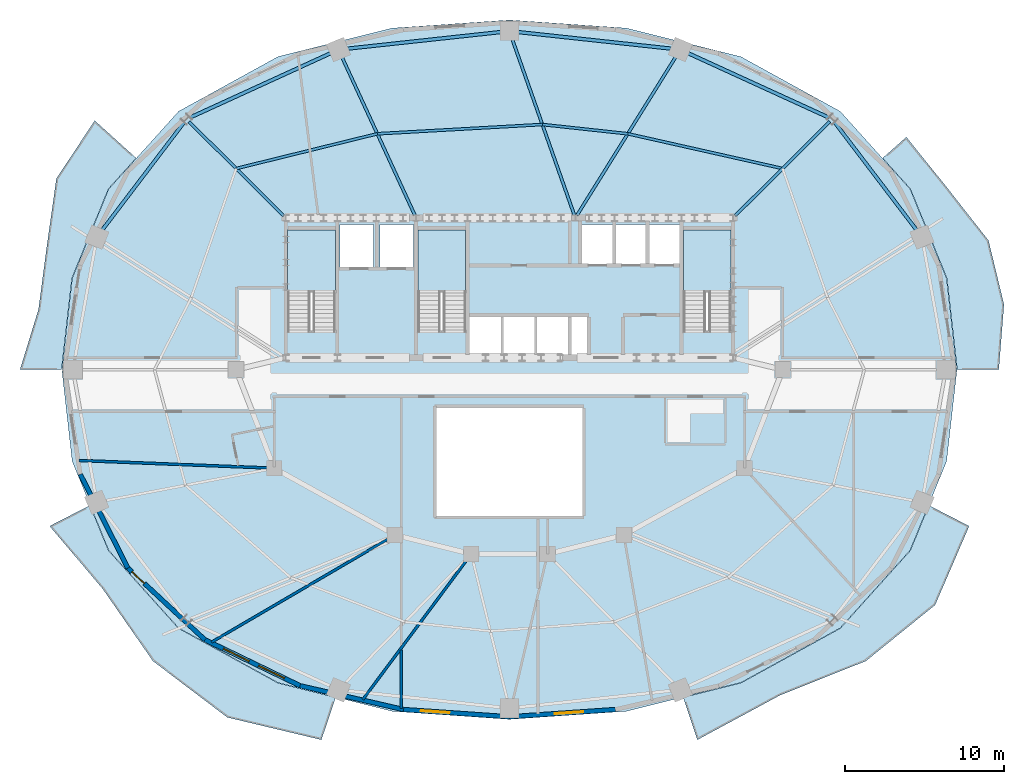
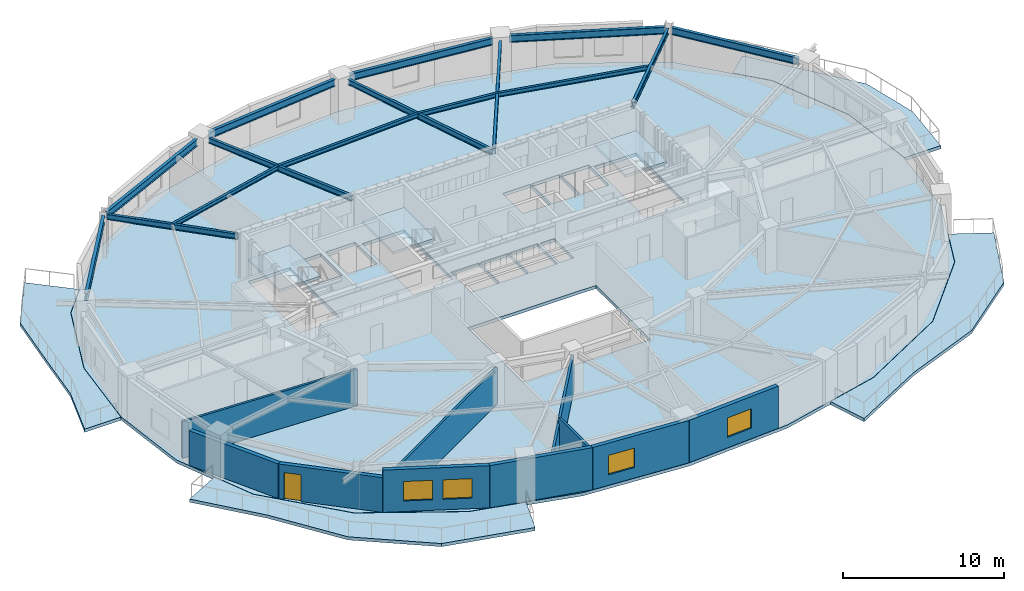
# One storey, part 3 of 11: 15 beams, 10 walls, 8 slabs, 4 windows, 1 door, 5 openings, 3 elements without a shape of their own.
"""IFC4 building model written with IfcOpenShell, lengths in metres."""

from ifc_helpers import new_model, si_unit, direction, frame, frame_2d, origin, origin_2d, place, context, subcontext, project, spatial, polyline, rectangle, i_section, outline, extrude, material, layer, layer_set, material_profile, profile_set, type_object, element, fill, aggregate, save


model = new_model("IFC4")

# Units and contexts
model_context = context("Model", 3, precision=1e-05, world=origin(), true_north=direction((0.0, 1.0)))
body_context = subcontext(model_context, "Body", "Model", "MODEL_VIEW")
ifc_project = project(units=[si_unit("LENGTHUNIT", "METRE"), si_unit("AREAUNIT", "SQUARE_METRE"), si_unit("VOLUMEUNIT", "CUBIC_METRE"), si_unit("PLANEANGLEUNIT", "RADIAN"), si_unit("MASSUNIT", "GRAM", prefix="KILO")], contexts=[model_context])

# Site, building, storey
site_placement = place(None, origin())
site = spatial("IfcSite", under=ifc_project, at=site_placement, CompositionType="ELEMENT")
building_placement = place(site_placement, origin())
building = spatial("IfcBuilding", under=site, at=building_placement, Name="Haldorwick Loom Tower", CompositionType="ELEMENT")
storey_placement = place(building_placement, frame((0.0, 0.0, 204.85009765625)))
storey = spatial("IfcBuildingStorey", under=building, at=storey_placement, Name="L55", CompositionType="ELEMENT", Elevation=204.85009765625)

# Beams
ifc_material_1 = material(Name="Steel CSA G40.21 350W", Category="steel")
ifc_material_profile_1 = material_profile(ifc_material_1, i_section(OverallWidth=0.166015625, OverallDepth=0.31298828125, WebThickness=0.006591796875, FlangeThickness=0.01123046875, at=origin_2d()), Name="W310X45", Category="steel")
ifc_profile_set_1 = profile_set([ifc_material_profile_1], Name="Steel CSA G40.21 350W")
beam_type_1 = type_object("IfcBeamType", Name="STR-BM-J310", PredefinedType="JOIST", material=ifc_profile_set_1)
beam_1_placement = place(storey_placement, frame((53.19384765625, 38.657470703125, 3.053466796875), z_axis=(-0.975700785876, 0.219107225898, 0.0), x_axis=(-0.219107225898, -0.975700785876, 0.0)))
element("IfcBeam", 1, at=beam_1_placement, inside=storey, type_object=beam_type_1, Name="L55 Mid-Bay Secondary Joist 3", PredefinedType="JOIST", context=body_context, shape_type="SweptSolid", body=[
    extrude(i_section(OverallWidth=0.166015625, OverallDepth=0.31298828125, WebThickness=0.006591796875, FlangeThickness=0.01123046875, at=origin_2d()), origin(), (0.0, 0.0, 1.0), 9.98486328125),
])
beam_2_placement = place(storey_placement, frame((43.45166015625, 40.84521484375, 3.053466796875), z_axis=(-0.994187082722, 0.107666357549, 0.0), x_axis=(-0.107666357549, -0.994187082722, 0.0)))
element("IfcBeam", 2, at=beam_2_placement, inside=storey, type_object=beam_type_1, Name="L55 Mid-Bay Secondary Joist 4", PredefinedType="JOIST", context=body_context, shape_type="SweptSolid", body=[
    extrude(i_section(OverallWidth=0.166015625, OverallDepth=0.31298828125, WebThickness=0.006591796875, FlangeThickness=0.01123046875, at=origin_2d()), origin(), (0.0, 0.0, 1.0), 5.408203125),
])
beam_3_placement = place(storey_placement, frame((38.074951171875, 41.427490234375, 3.053466796875), z_axis=(-0.998432354117, -0.05597172726, 0.0), x_axis=(0.05597172726, -0.998432354117, 0.0)))
element("IfcBeam", 3, at=beam_3_placement, inside=storey, type_object=beam_type_1, Name="L55 Mid-Bay Secondary Joist 5", PredefinedType="JOIST", context=body_context, shape_type="SweptSolid", body=[
    extrude(i_section(OverallWidth=0.166015625, OverallDepth=0.31298828125, WebThickness=0.006591796875, FlangeThickness=0.01123046875, at=origin_2d()), origin(), (0.0, 0.0, 1.0), 10.403076171875),
])
beam_4_placement = place(storey_placement, frame((27.688232421875, 40.84521484375, 3.053466796875), z_axis=(-0.970979703726, -0.239161901132, 0.0), x_axis=(0.239161901132, -0.970979703726, 0.0)))
element("IfcBeam", 4, at=beam_4_placement, inside=storey, type_object=beam_type_1, Name="L55 Mid-Bay Secondary Joist 6", PredefinedType="JOIST", context=body_context, shape_type="SweptSolid", body=[
    extrude(i_section(OverallWidth=0.166015625, OverallDepth=0.31298828125, WebThickness=0.006591796875, FlangeThickness=0.01123046875, at=origin_2d()), origin(), (0.0, 0.0, 1.0), 9.1474609375),
])
ifc_material_profile_2 = material_profile(ifc_material_1, i_section(OverallWidth=0.179931640625, OverallDepth=0.4130859375, WebThickness=0.009765625, FlangeThickness=0.01611328125, at=origin_2d()), Name="W410X74", Category="steel")
ifc_profile_set_2 = profile_set([ifc_material_profile_2], Name="Steel CSA G40.21 350W")
beam_type_2 = type_object("IfcBeamType", Name="STR-BM-J410", PredefinedType="JOIST", material=ifc_profile_set_2)
beam_5_placement = place(storey_placement, frame((50.1962890625, 35.675537109375, 3.00341796875), z_axis=(0.708962390492, 0.70524628951, 0.0), x_axis=(-0.70524628951, 0.708962390492, 0.0)))
element("IfcBeam", 5, at=beam_5_placement, inside=storey, type_object=beam_type_2, Name="L55 Radial Floor Girder 3", PredefinedType="JOIST", context=body_context, shape_type="SweptSolid", body=[
    extrude(i_section(OverallWidth=0.179931640625, OverallDepth=0.4130859375, WebThickness=0.009765625, FlangeThickness=0.01611328125, at=origin_2d()), origin(), (0.0, 0.0, 1.0), 8.409423828125),
])
beam_6_placement = place(storey_placement, frame((40.244140625, 35.700927734375, 3.00341796875), z_axis=(0.529095323143, 0.848562395483, 0.0), x_axis=(-0.848562395483, 0.529095323143, 0.0)))
element("IfcBeam", 6, at=beam_6_placement, inside=storey, type_object=beam_type_2, Name="L55 Radial Floor Girder 4", PredefinedType="JOIST", context=body_context, shape_type="SweptSolid", body=[
    extrude(i_section(OverallWidth=0.179931640625, OverallDepth=0.4130859375, WebThickness=0.009765625, FlangeThickness=0.01611328125, at=origin_2d()), origin(), (0.0, 0.0, 1.0), 11.78271484375),
])
beam_7_placement = place(storey_placement, frame((40.0908203125, 35.7177734375, 3.00341796875), z_axis=(-0.332908014691, 0.942959306521, 0.0), x_axis=(-0.942959306521, -0.332908014691, 0.0)))
element("IfcBeam", 7, at=beam_7_placement, inside=storey, type_object=beam_type_2, Name="L55 Radial Floor Girder 5", PredefinedType="JOIST", context=body_context, shape_type="SweptSolid", body=[
    extrude(i_section(OverallWidth=0.179931640625, OverallDepth=0.4130859375, WebThickness=0.009765625, FlangeThickness=0.01611328125, at=origin_2d()), origin(), (0.0, 0.0, 1.0), 11.768310546875),
])
beam_8_placement = place(storey_placement, frame((30.055419921875, 35.711669921875, 3.00341796875), z_axis=(-0.418729142855, 0.908111174319, 0.0), x_axis=(-0.908111174319, -0.418729142855, 0.0)))
element("IfcBeam", 8, at=beam_8_placement, inside=storey, type_object=beam_type_2, Name="L55 Radial Floor Girder 6", PredefinedType="JOIST", context=body_context, shape_type="SweptSolid", body=[
    extrude(i_section(OverallWidth=0.179931640625, OverallDepth=0.4130859375, WebThickness=0.009765625, FlangeThickness=0.01611328125, at=origin_2d()), origin(), (0.0, 0.0, 1.0), 10.96435546875),
])
beam_9_placement = place(storey_placement, frame((21.8037109375, 35.675537109375, 3.00341796875), z_axis=(-0.708962390492, 0.70524628951, 0.0), x_axis=(-0.70524628951, -0.708962390492, 0.0)))
element("IfcBeam", 9, at=beam_9_placement, inside=storey, type_object=beam_type_2, Name="L55 Radial Floor Girder 7", PredefinedType="JOIST", context=body_context, shape_type="SweptSolid", body=[
    extrude(i_section(OverallWidth=0.179931640625, OverallDepth=0.4130859375, WebThickness=0.009765625, FlangeThickness=0.01611328125, at=origin_2d()), origin(), (0.0, 0.0, 1.0), 8.409423828125),
])
ifc_material_profile_3 = material_profile(ifc_material_1, i_section(OverallWidth=0.2119140625, OverallDepth=0.5439453125, WebThickness=0.01318359375, FlangeThickness=0.021240234375, at=origin_2d()), Name="W530X123", Category="steel")
ifc_profile_set_3 = profile_set([ifc_material_profile_3], Name="Steel CSA G40.21 350W")
beam_type_3 = type_object("IfcBeamType", Name="STR-BM-SP530", PredefinedType="SPANDREL", material=ifc_profile_set_3)
beam_10_placement = place(storey_placement, frame((61.646240234375, 34.75634765625, 2.93798828125), z_axis=(-0.605236944797, 0.796045376001, 0.0), x_axis=(-0.796045376001, -0.605236944797, 0.0)))
element("IfcBeam", 10, at=beam_10_placement, inside=storey, type_object=beam_type_3, Name="L55 Perimeter Spandrel 2", PredefinedType="SPANDREL", context=body_context, shape_type="SweptSolid", body=[
    extrude(i_section(OverallWidth=0.2119140625, OverallDepth=0.5439453125, WebThickness=0.01318359375, FlangeThickness=0.021240234375, at=origin_2d()), origin(), (0.0, 0.0, 1.0), 8.5791015625),
])
beam_11_placement = place(storey_placement, frame((56.113037109375, 41.8583984375, 2.93798828125), z_axis=(-0.909342182232, 0.416049030299, 0.0), x_axis=(-0.416049030299, -0.909342182232, 0.0)))
element("IfcBeam", 11, at=beam_11_placement, inside=storey, type_object=beam_type_3, Name="L55 Perimeter Spandrel 3", PredefinedType="SPANDREL", context=body_context, shape_type="SweptSolid", body=[
    extrude(i_section(OverallWidth=0.2119140625, OverallDepth=0.5439453125, WebThickness=0.01318359375, FlangeThickness=0.021240234375, at=origin_2d()), origin(), (0.0, 0.0, 1.0), 9.772705078125),
])
for number, where, z_axis, x_axis, name in (
    (12, (46.236328125, 46.196533203125, 2.93798828125), (-0.994187774205, 0.107659972233, 0.0), (-0.107659972233, -0.994187774205, 0.0), "L55 Perimeter Spandrel 4"),
    (13, (35.48291015625, 47.2490234375, 2.93798828125), (-0.994187774205, -0.107659972233, 0.0), (0.107659972233, -0.994187774205, 0.0), "L55 Perimeter Spandrel 5"),
):
    element("IfcBeam", number, at=place(storey_placement, frame(where, z_axis=z_axis, x_axis=x_axis)), inside=storey, type_object=beam_type_3, Name=name, PredefinedType="SPANDREL", context=body_context, shape_type="SweptSolid", body=[
        extrude(i_section(OverallWidth=0.2119140625, OverallDepth=0.5439453125, WebThickness=0.01318359375, FlangeThickness=0.021240234375, at=origin_2d()), origin(), (0.0, 0.0, 1.0), 9.776123046875),
    ])
beam_12_placement = place(storey_placement, frame((24.773681640625, 45.92431640625, 2.93798828125), z_axis=(-0.909342182232, -0.416049030299, 0.0), x_axis=(0.416049030299, -0.909342182232, 0.0)))
element("IfcBeam", 14, at=beam_12_placement, inside=storey, type_object=beam_type_3, Name="L55 Perimeter Spandrel 6", PredefinedType="SPANDREL", context=body_context, shape_type="SweptSolid", body=[
    extrude(i_section(OverallWidth=0.2119140625, OverallDepth=0.5439453125, WebThickness=0.01318359375, FlangeThickness=0.021240234375, at=origin_2d()), origin(), (0.0, 0.0, 1.0), 9.772705078125),
])
beam_13_placement = place(storey_placement, frame((15.546142578125, 41.585693359375, 2.93798828125), z_axis=(-0.605236944797, -0.796045376001, 0.0), x_axis=(0.796045376001, -0.605236944797, 0.0)))
element("IfcBeam", 15, at=beam_13_placement, inside=storey, type_object=beam_type_3, Name="L55 Perimeter Spandrel 7", PredefinedType="SPANDREL", context=body_context, shape_type="SweptSolid", body=[
    extrude(i_section(OverallWidth=0.2119140625, OverallDepth=0.5439453125, WebThickness=0.01318359375, FlangeThickness=0.021240234375, at=origin_2d()), origin(), (0.0, 0.0, 1.0), 8.5791015625),
])

# Slabs
ifc_material_2 = material(Name="Concrete C40 (40 MPa)", Category="concrete")
ifc_layer_1 = layer(ifc_material_2, 0.239990234375, Name="Concrete C40 (40 MPa)", Category="concrete")
ifc_layer_set_1 = layer_set([ifc_layer_1], Name="Concrete C40 (40 MPa)")
slab_type_1 = type_object("IfcSlabType", Name="STR-SLB-BAL240", PredefinedType="FLOOR", material=ifc_layer_set_1)
slab_1_placement = place(storey_placement, frame((0.0, 0.0, -0.239990234375)))
element("IfcSlab", 16, at=slab_1_placement, inside=storey, type_object=slab_type_1, Name="L55 Sinusoidal Balcony Terrace BAL_SE", PredefinedType="FLOOR", context=body_context, shape_type="SweptSolid", body=[
    extrude(outline(polyline([(62.39208984375, 17.4619140625), (61.229736328125, 14.62060546875), (61.229248046875, 14.619384765625), (61.228515625, 14.6181640625), (61.227783203125, 14.6171875), (61.22705078125, 14.6162109375), (56.82373046875, 9.72998046875), (56.82275390625, 9.72900390625), (56.8212890625, 9.727783203125), (56.81982421875, 9.72705078125), (50.565673828125, 6.287109375), (50.564453125, 6.286376953125), (50.563232421875, 6.285888671875), (50.56201171875, 6.285400390625), (46.934814453125, 5.3798828125), (47.8310546875, 2.71044921875), (53.02685546875, 5.51171875), (58.431884765625, 7.66748046875), (62.788818359375, 11.19287109375), (64.931396484375, 16.15771484375), (62.39208984375, 17.4619140625)])), origin(), (0.0, 0.0, 1.0), 0.239990234375),
])
slab_2_placement = place(storey_placement, frame((0.0, 0.0, -0.239990234375)))
element("IfcSlab", 17, at=slab_2_placement, inside=storey, type_object=slab_type_1, Name="L55 Sinusoidal Balcony Terrace BAL_SW", PredefinedType="FLOOR", context=body_context, shape_type="SweptSolid", body=[
    extrude(outline(polyline([(25.065185546875, 5.3798828125), (21.43798828125, 6.285400390625), (21.436767578125, 6.285888671875), (21.435546875, 6.286376953125), (21.434326171875, 6.287109375), (15.18017578125, 9.72705078125), (15.1787109375, 9.727783203125), (15.17724609375, 9.72900390625), (15.17626953125, 9.72998046875), (10.77294921875, 14.6162109375), (10.772216796875, 14.6171875), (10.771484375, 14.6181640625), (10.770751953125, 14.619384765625), (10.770263671875, 14.62060546875), (9.60791015625, 17.4619140625), (7.068603515625, 16.15771484375), (10.404296875, 12.21337890625), (13.568115234375, 7.66748046875), (18.24658203125, 4.119873046875), (24.1689453125, 2.71044921875), (25.065185546875, 5.3798828125)])), origin(), (0.0, 0.0, 1.0), 0.239990234375),
])
slab_3_placement = place(storey_placement, frame((0.0, 0.0, -0.239990234375)))
element("IfcSlab", 18, at=slab_3_placement, inside=storey, type_object=slab_type_1, Name="L55 Sinusoidal Balcony Terrace BAL_WNW", PredefinedType="FLOOR", context=body_context, shape_type="SweptSolid", body=[
    extrude(outline(polyline([(7.818603515625, 26.0), (7.818603515625, 26.001708984375), (8.472412109375, 31.760986328125), (8.47265625, 31.762451171875), (8.472900390625, 31.763916015625), (8.473388671875, 31.76513671875), (10.770263671875, 37.37939453125), (10.770751953125, 37.380615234375), (10.771484375, 37.3818359375), (10.772216796875, 37.3828125), (10.77294921875, 37.3837890625), (12.51318359375, 39.315185546875), (9.90576171875, 41.673828125), (7.493896484375, 38.02587890625), (6.883056640625, 33.701171875), (6.368896484375, 29.80029296875), (5.20361328125, 26.0), (7.818603515625, 26.0)])), origin(), (0.0, 0.0, 1.0), 0.239990234375),
])
slab_4_placement = place(storey_placement, frame((0.0, 0.0, -0.239990234375)))
element("IfcSlab", 19, at=slab_4_placement, inside=storey, type_object=slab_type_1, Name="L55 Sinusoidal Balcony Terrace BAL_ENE", PredefinedType="FLOOR", context=body_context, shape_type="SweptSolid", body=[
    extrude(outline(polyline([(59.48779296875, 39.31396484375), (61.22705078125, 37.3837890625), (61.227783203125, 37.3828125), (61.228515625, 37.3818359375), (61.229248046875, 37.380615234375), (61.229736328125, 37.37939453125), (63.526611328125, 31.76513671875), (63.527099609375, 31.763916015625), (63.52734375, 31.762451171875), (63.527587890625, 31.760986328125), (64.181396484375, 26.001708984375), (64.181396484375, 26.0), (66.79638671875, 26.0), (67.124267578125, 30.102783203125), (66.148193359375, 34.1298828125), (63.570556640625, 37.416015625), (60.978759765625, 40.63623046875), (59.48779296875, 39.31396484375)])), origin(), (0.0, 0.0, 1.0), 0.239990234375),
])

# Stair, slab
stair_type = type_object("IfcStairType", Name="STR-STR-CORE", PredefinedType="HALF_TURN_STAIR", material=ifc_material_2)
stair_1_placement = place(storey_placement, origin())
stair_1 = element("IfcStair", 20, at=stair_1_placement, inside=storey, type_object=stair_type, Name="L55 Exit Stair ST-01", PredefinedType="HALF_TURN_STAIR")
ifc_layer_2 = layer(ifc_material_2, 0.199951171875, Name="Concrete C40 (40 MPa)", Category="concrete")
ifc_layer_set_2 = layer_set([ifc_layer_2], Name="Concrete C40 (40 MPa)")
slab_type_2 = type_object("IfcSlabType", Name="STR-SLB-LAND200", PredefinedType="LANDING", material=ifc_layer_set_2)
slab_5_placement = place(storey_placement, frame((0.0, 0.0, 1.52490234375)))
slab_5 = element("IfcSlab", 21, at=slab_5_placement, type_object=slab_type_2, Name="ST-01 landing 1", PredefinedType="LANDING", context=body_context, shape_type="SweptSolid", body=[
    extrude(outline(polyline([(25.050048828125, 30.919921875), (25.050048828125, 34.800048828125), (22.050048828125, 34.800048828125), (22.050048828125, 30.919921875), (25.050048828125, 30.919921875)])), origin(), (0.0, 0.0, 1.0), 0.199951171875),
])
aggregate(stair_1, [slab_5])

stair_2_placement = place(storey_placement, origin())
stair_2 = element("IfcStair", 22, at=stair_2_placement, inside=storey, type_object=stair_type, Name="L55 Exit Stair ST-02", PredefinedType="HALF_TURN_STAIR")
slab_6_placement = place(storey_placement, frame((0.0, 0.0, 1.52490234375)))
slab_6 = element("IfcSlab", 23, at=slab_6_placement, type_object=slab_type_2, Name="ST-02 landing 1", PredefinedType="LANDING", context=body_context, shape_type="SweptSolid", body=[
    extrude(outline(polyline([(49.949951171875, 30.919921875), (49.949951171875, 34.800048828125), (46.949951171875, 34.800048828125), (46.949951171875, 30.919921875), (49.949951171875, 30.919921875)])), origin(), (0.0, 0.0, 1.0), 0.199951171875),
])
aggregate(stair_2, [slab_6])

stair_3_placement = place(storey_placement, origin())
stair_3 = element("IfcStair", 24, at=stair_3_placement, inside=storey, type_object=stair_type, Name="L55 Exit Stair ST-03", PredefinedType="HALF_TURN_STAIR")
slab_7_placement = place(storey_placement, frame((0.0, 0.0, 1.52490234375)))
slab_7 = element("IfcSlab", 25, at=slab_7_placement, type_object=slab_type_2, Name="ST-03 landing 1", PredefinedType="LANDING", context=body_context, shape_type="SweptSolid", body=[
    extrude(outline(polyline([(33.25, 30.919921875), (33.25, 34.800048828125), (30.25, 34.800048828125), (30.25, 30.919921875), (33.25, 30.919921875)])), origin(), (0.0, 0.0, 1.0), 0.199951171875),
])
aggregate(stair_3, [slab_7])

# Slab
ifc_layer_3 = layer(ifc_material_2, 0.239990234375, Name="Concrete C40 (40 MPa)", Category="concrete")
ifc_layer_set_3 = layer_set([ifc_layer_3], Name="Concrete C40 (40 MPa)")
slab_type_3 = type_object("IfcSlabType", Name="STR-SLB-RES240", PredefinedType="FLOOR", material=ifc_layer_set_3)
slab_8_placement = place(storey_placement, frame((0.0, 0.0, -0.239990234375)))
element("IfcSlab", 26, at=slab_8_placement, inside=storey, type_object=slab_type_3, Name="L55 Residential Structural Floor Slab", PredefinedType="FLOOR", context=body_context, shape_type="SweptSolid", body=[
    extrude(outline(polyline([(56.812744140625, 9.739990234375), (61.2158203125, 14.626220703125), (63.5126953125, 20.240478515625), (64.16650390625, 26.0), (63.5126953125, 31.759521484375), (61.2158203125, 37.373779296875), (56.812744140625, 42.260009765625), (50.558349609375, 45.699951171875), (43.3720703125, 47.494384765625), (36.0, 48.0048828125), (28.6279296875, 47.494384765625), (21.441650390625, 45.699951171875), (15.187255859375, 42.260009765625), (10.7841796875, 37.373779296875), (8.4873046875, 31.759521484375), (7.83349609375, 26.0), (8.4873046875, 20.240478515625), (10.7841796875, 14.626220703125), (15.187255859375, 9.739990234375), (21.441650390625, 6.300048828125), (28.6279296875, 4.505615234375), (36.0, 3.9951171875), (43.3720703125, 4.505615234375), (50.558349609375, 6.300048828125), (56.812744140625, 9.739990234375)]), holes=[polyline([(31.39990234375, 16.800048828125), (31.39990234375, 23.60009765625), (40.60009765625, 23.60009765625), (40.60009765625, 16.800048828125), (31.39990234375, 16.800048828125)]), polyline([(33.5, 26.85009765625), (33.5, 29.35009765625), (35.5, 29.35009765625), (35.5, 26.85009765625), (33.5, 26.85009765625)]), polyline([(35.60009765625, 26.85009765625), (35.60009765625, 29.35009765625), (37.60009765625, 29.35009765625), (37.60009765625, 26.85009765625), (35.60009765625, 26.85009765625)]), polyline([(23.6201171875, 28.39990234375), (22.050048828125, 28.39990234375), (22.050048828125, 34.800048828125), (25.050048828125, 34.800048828125), (25.050048828125, 28.639892578125), (23.6201171875, 28.639892578125), (23.6201171875, 28.39990234375)]), polyline([(30.25, 28.39990234375), (30.25, 34.800048828125), (33.25, 34.800048828125), (33.25, 28.639892578125), (31.820068359375, 28.639892578125), (31.820068359375, 28.39990234375), (30.25, 28.39990234375)]), polyline([(25.35009765625, 32.449951171875), (25.35009765625, 35.14990234375), (27.449951171875, 35.14990234375), (27.449951171875, 32.449951171875), (25.35009765625, 32.449951171875)]), polyline([(29.949951171875, 32.449951171875), (27.85009765625, 32.449951171875), (27.85009765625, 35.14990234375), (29.949951171875, 35.14990234375), (29.949951171875, 32.449951171875)]), polyline([(37.699951171875, 26.85009765625), (37.699951171875, 29.35009765625), (39.699951171875, 29.35009765625), (39.699951171875, 26.85009765625), (37.699951171875, 26.85009765625)]), polyline([(39.89990234375, 26.89990234375), (39.89990234375, 29.300048828125), (40.89990234375, 29.300048828125), (40.89990234375, 26.89990234375), (39.89990234375, 26.89990234375)]), polyline([(46.949951171875, 28.39990234375), (46.949951171875, 34.800048828125), (49.949951171875, 34.800048828125), (49.949951171875, 28.639892578125), (48.52001953125, 28.639892578125), (48.52001953125, 28.39990234375), (46.949951171875, 28.39990234375)]), polyline([(40.550048828125, 32.64990234375), (40.550048828125, 35.14990234375), (42.550048828125, 35.14990234375), (42.550048828125, 32.64990234375), (40.550048828125, 32.64990234375)]), polyline([(42.64990234375, 32.64990234375), (42.64990234375, 35.14990234375), (44.64990234375, 35.14990234375), (44.64990234375, 32.64990234375), (42.64990234375, 32.64990234375)]), polyline([(44.75, 32.64990234375), (44.75, 35.14990234375), (46.75, 35.14990234375), (46.75, 32.64990234375), (44.75, 32.64990234375)])]), origin(), (0.0, 0.0, 1.0), 0.239990234375),
])

# Wall
ifc_material_3 = material(Name="Pressed Clay Face Brick and Insulated Masonry Backup Assembly", Category="masonry")
ifc_layer_4 = layer(ifc_material_3, 0.280029296875, Name="Pressed Clay Face Brick and Insulated Masonry Backup Assembly", Category="masonry")
ifc_layer_set_4 = layer_set([ifc_layer_4], Name="Pressed Clay Face Brick and Insulated Masonry Backup Assembly")
wall_type_1 = type_object("IfcWallType", Name="ARC-WL-EXT280", PredefinedType="STANDARD", material=ifc_layer_set_4)
wall_1_placement = place(storey_placement, frame((8.995849609375, 19.415283203125, 0.0), z_axis=(0.0, 0.0, 1.0), x_axis=(0.453032066879, -0.89149422117, 0.0)))
element("IfcWall", 27, at=wall_1_placement, inside=storey, type_object=wall_type_1, Name="L55 Brick Pier and Spandrel Wall 14", PredefinedType="STANDARD", context=body_context, shape_type="SweptSolid", body=[
    extrude(rectangle(XDim=6.618896484375, YDim=0.280029296875, at=frame_2d((3.3095703125, 0.0))), origin(), (0.0, 0.0, 1.0), 2.640869140625),
])

# Wall, opening, door
wall_2_placement = place(storey_placement, frame((11.994384765625, 13.5146484375, 0.0), z_axis=(0.0, 0.0, 1.0), x_axis=(0.731833707499, -0.681483253329, 0.0)))
wall_2 = element("IfcWall", 28, at=wall_2_placement, inside=storey, type_object=wall_type_1, Name="L55 Brick Pier and Spandrel Wall 15", PredefinedType="STANDARD", context=body_context, shape_type="SweptSolid", body=[
    extrude(rectangle(XDim=6.61865234375, YDim=0.280029296875, at=frame_2d((3.309326171875, 0.0))), origin(), (0.0, 0.0, 1.0), 2.640869140625),
])
opening_1_placement = place(wall_2_placement, frame((0.340087890625, 0.0, 0.0)))
opening_1 = element("IfcOpeningElement", 29, at=opening_1_placement, cuts=wall_2, Name="Opening D-BL11", PredefinedType="OPENING", context=body_context, shape_type="SweptSolid", body=[
    extrude(rectangle(XDim=1.080078125, YDim=2.0400390625, at=frame_2d((0.5400390625, 1.02001953125))), frame((0.0, 0.14990234375, 0.0), z_axis=(0.0, -1.0, 0.0), x_axis=(1.0, 0.0, 0.0)), (0.0, 0.0, 1.0), 0.300048828125),
])
ifc_material_4 = material(Name="Thermally Broken Anodized Aluminium Curtain Wall Framing", Category="aluminium")
door_type = type_object("IfcDoorType", Name="ARC-DR-BAL110", OperationType="NOTDEFINED", PredefinedType="DOOR", material=ifc_material_4)
door_placement = place(opening_1_placement, origin())
door = element("IfcDoor", 30, at=door_placement, inside=storey, type_object=door_type, Name="L55 Outdoor Terrace Door SLB-L55-BAL_SW", OperationType="SINGLE_SWING_LEFT", OverallHeight=2.0400390625, OverallWidth=1.080078125, PredefinedType="DOOR", context=body_context, shape_type="SweptSolid", body=[
    extrude(rectangle(XDim=1.080078125, YDim=2.0400390625, at=frame_2d((0.5400390625, 1.02001953125))), frame((0.0, 0.02490234375, 0.0), z_axis=(0.0, -1.0, 0.0), x_axis=(1.0, 0.0, 0.0)), (0.0, 0.0, 1.0), 0.050048828125),
])
fill(opening_1, door)

# Wall, openings, windows
wall_3_placement = place(storey_placement, frame((16.838134765625, 9.004150390625, 0.0), z_axis=(0.0, 0.0, 1.0), x_axis=(0.900371236029, -0.435122554381, 0.0)))
wall_3 = element("IfcWall", 31, at=wall_3_placement, inside=storey, type_object=wall_type_1, Name="L55 Brick Pier and Spandrel Wall 16", PredefinedType="STANDARD", context=body_context, shape_type="SweptSolid", body=[
    extrude(rectangle(XDim=6.6533203125, YDim=0.280029296875, at=frame_2d((3.32666015625, 0.0))), origin(), (0.0, 0.0, 1.0), 3.2099609375),
])
opening_2_placement = place(wall_3_placement, frame((1.2939453125, 0.0, 0.800048828125)))
opening_2 = element("IfcOpeningElement", 32, at=opening_2_placement, cuts=wall_3, Name="Opening W-01", PredefinedType="OPENING", context=body_context, shape_type="SweptSolid", body=[
    extrude(rectangle(XDim=1.800048828125, YDim=1.47998046875, at=frame_2d((0.89990234375, 0.739990234375))), frame((0.0, 0.14990234375, 0.0), z_axis=(0.0, -1.0, 0.0), x_axis=(1.0, 0.0, 0.0)), (0.0, 0.0, 1.0), 0.300048828125),
])
opening_3_placement = place(wall_3_placement, frame((3.75732421875, 0.0, 0.800048828125)))
opening_3 = element("IfcOpeningElement", 33, at=opening_3_placement, cuts=wall_3, Name="Opening W-01", PredefinedType="OPENING", context=body_context, shape_type="SweptSolid", body=[
    extrude(rectangle(XDim=1.800048828125, YDim=1.47998046875, at=frame_2d((0.89990234375, 0.739990234375))), frame((0.0, 0.14990234375, 0.0), z_axis=(0.0, -1.0, 0.0), x_axis=(1.0, 0.0, 0.0)), (0.0, 0.0, 1.0), 0.300048828125),
])
ifc_material_5 = material(Name="Triple-Glazed Low-E Argon Insulated Glazing Unit", Category="glass")
window_type = type_object("IfcWindowType", Name="ARC-WIN-W180", PartitioningType="SINGLE_PANEL", PredefinedType="WINDOW", material=ifc_material_5)
window_1_placement = place(opening_2_placement, origin())
window_1 = element("IfcWindow", 34, at=window_1_placement, inside=storey, type_object=window_type, Name="L55 Deep-Set Zone 7A Window 16", OverallHeight=1.47998046875, OverallWidth=1.800048828125, PartitioningType="SINGLE_PANEL", PredefinedType="WINDOW", context=body_context, shape_type="SweptSolid", body=[
    extrude(rectangle(XDim=1.800048828125, YDim=1.47998046875, at=frame_2d((0.89990234375, 0.739990234375))), frame((0.0, 0.030029296875, 0.0), z_axis=(0.0, -1.0, 0.0), x_axis=(1.0, 0.0, 0.0)), (0.0, 0.0, 1.0), 0.06005859375),
])
fill(opening_2, window_1)
window_2_placement = place(opening_3_placement, origin())
window_2 = element("IfcWindow", 35, at=window_2_placement, inside=storey, type_object=window_type, Name="L55 Deep-Set Zone 7A Window 16", OverallHeight=1.47998046875, OverallWidth=1.800048828125, PartitioningType="SINGLE_PANEL", PredefinedType="WINDOW", context=body_context, shape_type="SweptSolid", body=[
    extrude(rectangle(XDim=1.800048828125, YDim=1.47998046875, at=frame_2d((0.89990234375, 0.739990234375))), frame((0.0, 0.030029296875, 0.0), z_axis=(0.0, -1.0, 0.0), x_axis=(1.0, 0.0, 0.0)), (0.0, 0.0, 1.0), 0.06005859375),
])
fill(opening_3, window_2)

# Wall
wall_4_placement = place(storey_placement, frame((22.82861328125, 6.109130859375, 0.0), z_axis=(0.0, 0.0, 1.0), x_axis=(0.974557343474, -0.224138315065, 0.0)))
element("IfcWall", 36, at=wall_4_placement, inside=storey, type_object=wall_type_1, Name="L55 Brick Pier and Spandrel Wall 17", PredefinedType="STANDARD", context=body_context, shape_type="SweptSolid", body=[
    extrude(rectangle(XDim=6.676025390625, YDim=0.280029296875, at=frame_2d((3.337890625, 0.0))), origin(), (0.0, 0.0, 1.0), 3.2099609375),
])

# Wall, opening, window
wall_5_placement = place(storey_placement, frame((29.334716796875, 4.61279296875, 0.0), z_axis=(0.0, 0.0, 1.0), x_axis=(0.99764992135, -0.068517402386, 0.0)))
wall_5 = element("IfcWall", 37, at=wall_5_placement, inside=storey, type_object=wall_type_1, Name="L55 Brick Pier and Spandrel Wall 18", PredefinedType="STANDARD", context=body_context, shape_type="SweptSolid", body=[
    extrude(rectangle(XDim=6.680908203125, YDim=0.280029296875, at=frame_2d((3.34033203125, 0.0))), origin(), (0.0, 0.0, 1.0), 3.2099609375),
])
opening_4_placement = place(wall_5_placement, frame((1.104248046875, 0.0, 0.800048828125)))
opening_4 = element("IfcOpeningElement", 38, at=opening_4_placement, cuts=wall_5, Name="Opening W-01", PredefinedType="OPENING", context=body_context, shape_type="SweptSolid", body=[
    extrude(rectangle(XDim=1.800048828125, YDim=1.47998046875, at=frame_2d((0.89990234375, 0.739990234375))), frame((0.0, 0.14990234375, 0.0), z_axis=(0.0, -1.0, 0.0), x_axis=(1.0, 0.0, 0.0)), (0.0, 0.0, 1.0), 0.300048828125),
])
window_3_placement = place(opening_4_placement, origin())
window_3 = element("IfcWindow", 39, at=window_3_placement, inside=storey, type_object=window_type, Name="L55 Deep-Set Zone 7A Window 18", OverallHeight=1.47998046875, OverallWidth=1.800048828125, PartitioningType="SINGLE_PANEL", PredefinedType="WINDOW", context=body_context, shape_type="SweptSolid", body=[
    extrude(rectangle(XDim=1.800048828125, YDim=1.47998046875, at=frame_2d((0.89990234375, 0.739990234375))), frame((0.0, 0.030029296875, 0.0), z_axis=(0.0, -1.0, 0.0), x_axis=(1.0, 0.0, 0.0)), (0.0, 0.0, 1.0), 0.06005859375),
])
fill(opening_4, window_3)

wall_6_placement = place(storey_placement, frame((36.0, 4.155029296875, 0.0), z_axis=(0.0, 0.0, 1.0), x_axis=(0.99764992135, 0.068517402386, 0.0)))
wall_6 = element("IfcWall", 40, at=wall_6_placement, inside=storey, type_object=wall_type_1, Name="L55 Brick Pier and Spandrel Wall 19", PredefinedType="STANDARD", context=body_context, shape_type="SweptSolid", body=[
    extrude(rectangle(XDim=6.680908203125, YDim=0.280029296875, at=frame_2d((3.34033203125, 0.0))), origin(), (0.0, 0.0, 1.0), 3.2099609375),
])
opening_5_placement = place(wall_6_placement, frame((2.860595703125, 0.0, 0.800048828125)))
opening_5 = element("IfcOpeningElement", 41, at=opening_5_placement, cuts=wall_6, Name="Opening W-01", PredefinedType="OPENING", context=body_context, shape_type="SweptSolid", body=[
    extrude(rectangle(XDim=1.800048828125, YDim=1.47998046875, at=frame_2d((0.89990234375, 0.739990234375))), frame((0.0, 0.14990234375, 0.0), z_axis=(0.0, -1.0, 0.0), x_axis=(1.0, 0.0, 0.0)), (0.0, 0.0, 1.0), 0.300048828125),
])
window_4_placement = place(opening_5_placement, origin())
window_4 = element("IfcWindow", 42, at=window_4_placement, inside=storey, type_object=window_type, Name="L55 Deep-Set Zone 7A Window 19", OverallHeight=1.47998046875, OverallWidth=1.800048828125, PartitioningType="SINGLE_PANEL", PredefinedType="WINDOW", context=body_context, shape_type="SweptSolid", body=[
    extrude(rectangle(XDim=1.800048828125, YDim=1.47998046875, at=frame_2d((0.89990234375, 0.739990234375))), frame((0.0, 0.030029296875, 0.0), z_axis=(0.0, -1.0, 0.0), x_axis=(1.0, 0.0, 0.0)), (0.0, 0.0, 1.0), 0.06005859375),
])
fill(opening_5, window_4)

# Walls
ifc_material_6 = material(Name="Fire-Rated Type X Gypsum Stud Assembly EI 60")
ifc_layer_5 = layer(ifc_material_6, 0.159912109375, Name="Fire-Rated Type X Gypsum Stud Assembly EI 60")
ifc_layer_set_5 = layer_set([ifc_layer_5], Name="Fire-Rated Type X Gypsum Stud Assembly EI 60")
wall_type_2 = type_object("IfcWallType", Name="ARC-WL-FIRE160", PredefinedType="PARTITIONING", material=ifc_layer_set_5)
wall_7_placement = place(storey_placement, frame((33.60009765625, 14.39990234375, 0.0), z_axis=(0.0, 0.0, 1.0), x_axis=(-0.597492108958, -0.801874790559, 0.0)))
element("IfcWall", 43, at=wall_7_placement, inside=storey, type_object=wall_type_2, Name="L55 Residential Fire Partition L55-ICR-08", PredefinedType="PARTITIONING", context=body_context, shape_type="SweptSolid", body=[
    extrude(rectangle(XDim=11.414794921875, YDim=0.159912109375, at=frame_2d((5.70751953125, 0.0))), origin(), (0.0, 0.0, 1.0), 2.77197265625),
])
wall_8_placement = place(storey_placement, frame((28.800048828125, 15.60009765625, 0.0), z_axis=(0.0, 0.0, 1.0), x_axis=(-0.863354797211, -0.504597358428, 0.0)))
element("IfcWall", 44, at=wall_8_placement, inside=storey, type_object=wall_type_2, Name="L55 Residential Fire Partition L55-ICR-10", PredefinedType="PARTITIONING", context=body_context, shape_type="SweptSolid", body=[
    extrude(rectangle(XDim=13.3720703125, YDim=0.159912109375, at=frame_2d((6.68603515625, 0.0))), origin(), (0.0, 0.0, 1.0), 2.77197265625),
])
wall_9_placement = place(storey_placement, frame((21.199951171875, 19.800048828125, 0.0), z_axis=(0.0, 0.0, 1.0), x_axis=(-0.999215005208, 0.039615317318, 0.0)))
element("IfcWall", 45, at=wall_9_placement, inside=storey, type_object=wall_type_2, Name="L55 Residential Fire Partition L55-ICR-12", PredefinedType="PARTITIONING", context=body_context, shape_type="SweptSolid", body=[
    extrude(rectangle(XDim=12.301025390625, YDim=0.159912109375, at=frame_2d((6.150390625, 0.0))), origin(), (0.0, 0.0, 1.0), 2.77197265625),
])
wall_10_placement = place(storey_placement, frame((29.199951171875, 4.68994140625, 0.0), z_axis=(0.0, 0.0, 1.0), x_axis=(0.0, 1.0, 0.0)))
element("IfcWall", 46, at=wall_10_placement, inside=storey, type_object=wall_type_2, Name="L55 Residential Fire Partition L55-SBP-0", PredefinedType="PARTITIONING", context=body_context, shape_type="SweptSolid", body=[
    extrude(rectangle(XDim=3.665771484375, YDim=0.159912109375, at=frame_2d((1.8330078125, 0.0))), origin(), (0.0, 0.0, 1.0), 3.19482421875),
])

save(model, "model.ifc")
